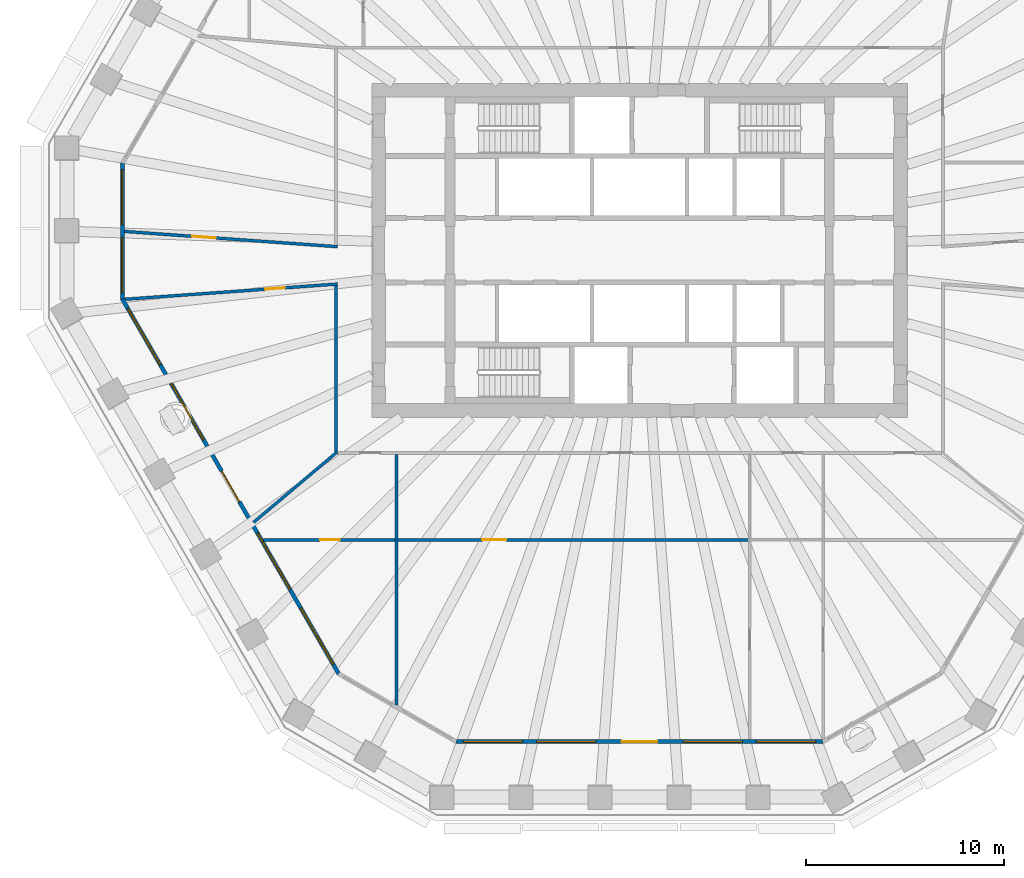
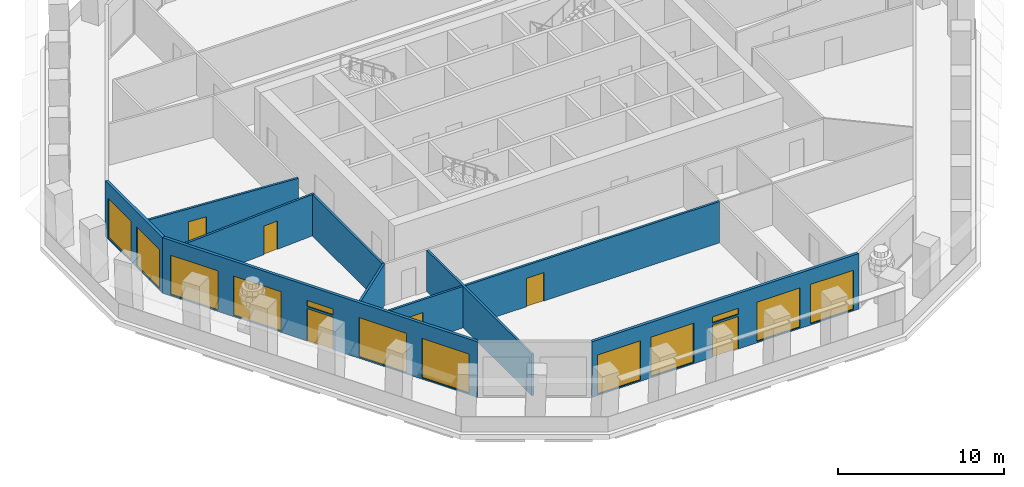
# One storey, part 3 of 12: 12 windows, 9 walls, 6 doors, 18 openings.
"""IFC4 building model written with IfcOpenShell, lengths in metres."""

from ifc_helpers import new_model, si_unit, direction, frame, frame_2d, origin, place, context, subcontext, project, spatial, polyline, rectangle, outline, extrude, material, layer, layer_set, type_object, element, fill, save


model = new_model("IFC4")

# Units and contexts
model_context = context("Model", 3, precision=1e-05, world=origin(), true_north=direction((0.0, 1.0)))
body_context = subcontext(model_context, "Body", "Model", "MODEL_VIEW")
ifc_project = project(units=[si_unit("LENGTHUNIT", "METRE"), si_unit("AREAUNIT", "SQUARE_METRE"), si_unit("VOLUMEUNIT", "CUBIC_METRE"), si_unit("PLANEANGLEUNIT", "RADIAN"), si_unit("MASSUNIT", "GRAM", prefix="KILO")], contexts=[model_context])

# Site, building, storey
site_placement = place(None, origin())
site = spatial("IfcSite", under=ifc_project, at=site_placement, CompositionType="ELEMENT")
building_placement = place(site_placement, origin())
building = spatial("IfcBuilding", under=site, at=building_placement, Name="Frailejon Research Tower", CompositionType="ELEMENT")
storey_placement = place(building_placement, frame((0.0, 0.0, 176.0)))
storey = spatial("IfcBuildingStorey", under=building, at=storey_placement, Name="L38", CompositionType="ELEMENT", Elevation=176.0)

# Wall
ifc_material_1 = material(Name="Gypsum board and masonry partition", Category="masonry")
ifc_layer_1 = layer(ifc_material_1, 0.14990234375)
ifc_layer_set_1 = layer_set([ifc_layer_1], Name="Corridor wall EI 60, gypsum on steel studs 150")
wall_type_1 = type_object("IfcWallType", Name="Corridor wall EI 60, gypsum on steel studs 150", PredefinedType="PARTITIONING", material=ifc_layer_set_1)
wall_1_placement = place(storey_placement, frame((-15.35009765625, -10.175048828125, 0.0), z_axis=(0.0, 0.0, 1.0), x_axis=(0.0, 1.0, 0.0)))
element("IfcWall", 1, at=wall_1_placement, inside=storey, type_object=wall_type_1, Name="T:IW:L38:004", PredefinedType="PARTITIONING", context=body_context, shape_type="SweptSolid", body=[
    extrude(rectangle(XDim=8.385986328125, YDim=0.14990234375, at=frame_2d((4.19287109375, 0.0))), origin(), (0.0, 0.0, 1.0), 3.050048828125),
])

# Wall, opening, door
wall_2_placement = place(storey_placement, frame((-26.071533203125, 0.95361328125, 0.0), z_axis=(0.0, 0.0, 1.0), x_axis=(0.997445401141, -0.071432987776, 0.0)))
wall_2 = element("IfcWall", 2, at=wall_2_placement, inside=storey, type_object=wall_type_1, Name="T:IW:L38:007", PredefinedType="PARTITIONING", context=body_context, shape_type="SweptSolid", body=[
    extrude(rectangle(XDim=10.823974609375, YDim=0.14990234375, at=frame_2d((5.412109375, 0.0))), origin(), (0.0, 0.0, 1.0), 3.050048828125),
])
opening_1_placement = place(wall_2_placement, frame((3.447265625, 0.0, 0.0)))
opening_1 = element("IfcOpeningElement", 3, at=opening_1_placement, cuts=wall_2, Name="Opening D1832", PredefinedType="OPENING", context=body_context, shape_type="SweptSolid", body=[
    extrude(rectangle(XDim=1.199951171875, YDim=2.10009765625, at=frame_2d((0.60009765625, 1.050048828125))), frame((0.0, 0.0849609375, 0.0), z_axis=(0.0, -1.0, 0.0), x_axis=(1.0, 0.0, 0.0)), (0.0, 0.0, 1.0), 0.169921875),
])
ifc_material_2 = material(Name="Timber door leaf", Category="wood")
door_type_1 = type_object("IfcDoorType", Name="Door laboratory, timber, vision panel 1200", OperationType="NOTDEFINED", PredefinedType="DOOR", material=ifc_material_2)
door_1_placement = place(opening_1_placement, origin())
door_1 = element("IfcDoor", 4, at=door_1_placement, inside=storey, type_object=door_type_1, Name="D1832", OperationType="DOUBLE_DOOR_SINGLE_SWING", OverallHeight=2.10009765625, OverallWidth=1.199951171875, PredefinedType="DOOR", context=body_context, shape_type="SweptSolid", body=[
    extrude(rectangle(XDim=1.199951171875, YDim=2.10009765625, at=frame_2d((0.60009765625, 1.050048828125))), frame((0.0, 0.02490234375, 0.0), z_axis=(0.0, -1.0, 0.0), x_axis=(1.0, 0.0, 0.0)), (0.0, 0.0, 1.0), 0.050048828125),
])
fill(opening_1, door_1)

wall_3_placement = place(storey_placement, frame((-26.0498046875, -2.480224609375, 0.0), z_axis=(0.0, 0.0, 1.0), x_axis=(0.997446409399, 0.071418907704, 0.0)))
wall_3 = element("IfcWall", 5, at=wall_3_placement, inside=storey, type_object=wall_type_1, Name="T:IW:L38:008", PredefinedType="PARTITIONING", context=body_context, shape_type="SweptSolid", body=[
    extrude(rectangle(XDim=10.80224609375, YDim=0.14990234375, at=frame_2d((5.401123046875, 0.0))), origin(), (0.0, 0.0, 1.0), 3.050048828125),
])
opening_2_placement = place(wall_3_placement, frame((7.12060546875, 0.0, 0.0)))
opening_2 = element("IfcOpeningElement", 6, at=opening_2_placement, cuts=wall_3, Name="Opening D1833", PredefinedType="OPENING", context=body_context, shape_type="SweptSolid", body=[
    extrude(rectangle(XDim=1.0, YDim=2.10009765625, at=frame_2d((0.5, 1.050048828125))), frame((0.0, 0.0849609375, 0.0), z_axis=(0.0, -1.0, 0.0), x_axis=(1.0, 0.0, 0.0)), (0.0, 0.0, 1.0), 0.169921875),
])
ifc_material_3 = material(Name="Timber door leaf", Category="wood")
door_type_2 = type_object("IfcDoorType", Name="Door single leaf, timber, steel frame 1000", OperationType="NOTDEFINED", PredefinedType="DOOR", material=ifc_material_3)
door_2_placement = place(opening_2_placement, origin())
door_2 = element("IfcDoor", 7, at=door_2_placement, inside=storey, type_object=door_type_2, Name="D1833", OperationType="SINGLE_SWING_LEFT", OverallHeight=2.10009765625, OverallWidth=1.0, PredefinedType="DOOR", context=body_context, shape_type="SweptSolid", body=[
    extrude(rectangle(XDim=1.0, YDim=2.10009765625, at=frame_2d((0.5, 1.050048828125))), frame((0.0, 0.02490234375, 0.0), z_axis=(0.0, -1.0, 0.0), x_axis=(1.0, 0.0, 0.0)), (0.0, 0.0, 1.0), 0.050048828125),
])
fill(opening_2, door_2)

# Wall
ifc_material_4 = material(Name="Gypsum board and masonry partition", Category="masonry")
ifc_layer_2 = layer(ifc_material_4, 0.14990234375)
ifc_layer_set_2 = layer_set([ifc_layer_2], Name="Laboratory partition, blockwork 150")
wall_type_2 = type_object("IfcWallType", Name="Laboratory partition, blockwork 150", PredefinedType="PARTITIONING", material=ifc_layer_set_2)
wall_4_placement = place(storey_placement, frame((-19.53173828125, -13.77001953125, 0.0), z_axis=(0.0, 0.0, 1.0), x_axis=(0.765048286371, 0.643972918313, 0.0)))
element("IfcWall", 8, at=wall_4_placement, inside=storey, type_object=wall_type_2, Name="T:IW:L38:019", PredefinedType="PARTITIONING", context=body_context, shape_type="SweptSolid", body=[
    extrude(rectangle(XDim=5.541259765625, YDim=0.14990234375, at=frame_2d((2.7705078125, 0.0))), origin(), (0.0, 0.0, 1.0), 3.050048828125),
])

# Wall, openings, doors
wall_5_placement = place(storey_placement, frame((-19.023681640625, -14.64990234375, 0.0), z_axis=(0.0, 0.0, 1.0), x_axis=(1.0, 0.0, 0.0)))
wall_5 = element("IfcWall", 9, at=wall_5_placement, inside=storey, type_object=wall_type_2, Name="T:IW:L38:020", PredefinedType="PARTITIONING", context=body_context, shape_type="SweptSolid", body=[
    extrude(rectangle(XDim=24.527099609375, YDim=0.14990234375, at=frame_2d((12.263671875, 0.0))), origin(), (0.0, 0.0, 1.0), 3.050048828125),
])
opening_3_placement = place(wall_5_placement, frame((2.863037109375, 0.0, 0.0)))
opening_3 = element("IfcOpeningElement", 10, at=opening_3_placement, cuts=wall_5, Name="Opening D1835", PredefinedType="OPENING", context=body_context, shape_type="SweptSolid", body=[
    extrude(rectangle(XDim=1.0, YDim=2.10009765625, at=frame_2d((0.5, 1.050048828125))), frame((0.0, 0.0849609375, 0.0), z_axis=(0.0, -1.0, 0.0), x_axis=(1.0, 0.0, 0.0)), (0.0, 0.0, 1.0), 0.169921875),
])
opening_4_placement = place(wall_5_placement, frame((11.070068359375, 0.0, 0.0)))
opening_4 = element("IfcOpeningElement", 11, at=opening_4_placement, cuts=wall_5, Name="Opening D1837", PredefinedType="OPENING", context=body_context, shape_type="SweptSolid", body=[
    extrude(rectangle(XDim=1.199951171875, YDim=2.10009765625, at=frame_2d((0.60009765625, 1.050048828125))), frame((0.0, 0.0849609375, 0.0), z_axis=(0.0, -1.0, 0.0), x_axis=(1.0, 0.0, 0.0)), (0.0, 0.0, 1.0), 0.169921875),
])
ifc_material_5 = material(Name="Timber door leaf", Category="wood")
door_type_3 = type_object("IfcDoorType", Name="Door laboratory, timber, vision panel 1000", OperationType="NOTDEFINED", PredefinedType="DOOR", material=ifc_material_5)
door_3_placement = place(opening_3_placement, origin())
door_3 = element("IfcDoor", 12, at=door_3_placement, inside=storey, type_object=door_type_3, Name="D1835", OperationType="SINGLE_SWING_RIGHT", OverallHeight=2.10009765625, OverallWidth=1.0, PredefinedType="DOOR", context=body_context, shape_type="SweptSolid", body=[
    extrude(rectangle(XDim=1.0, YDim=2.10009765625, at=frame_2d((0.5, 1.050048828125))), frame((0.0, 0.02490234375, 0.0), z_axis=(0.0, -1.0, 0.0), x_axis=(1.0, 0.0, 0.0)), (0.0, 0.0, 1.0), 0.050048828125),
])
fill(opening_3, door_3)
door_4_placement = place(opening_4_placement, origin())
door_4 = element("IfcDoor", 13, at=door_4_placement, inside=storey, type_object=door_type_1, Name="D1837", OperationType="DOUBLE_DOOR_SINGLE_SWING", OverallHeight=2.10009765625, OverallWidth=1.199951171875, PredefinedType="DOOR", context=body_context, shape_type="SweptSolid", body=[
    extrude(rectangle(XDim=1.199951171875, YDim=2.10009765625, at=frame_2d((0.60009765625, 1.050048828125))), frame((0.0, 0.02490234375, 0.0), z_axis=(0.0, -1.0, 0.0), x_axis=(1.0, 0.0, 0.0)), (0.0, 0.0, 1.0), 0.050048828125),
])
fill(opening_4, door_4)

# Wall
wall_6_placement = place(storey_placement, frame((-12.297607421875, -23.0048828125, 0.0), z_axis=(0.0, 0.0, 1.0), x_axis=(0.0, 1.0, 0.0)))
element("IfcWall", 14, at=wall_6_placement, inside=storey, type_object=wall_type_2, Name="T:IW:L38:022", PredefinedType="PARTITIONING", context=body_context, shape_type="SweptSolid", body=[
    extrude(rectangle(XDim=12.679931640625, YDim=0.14990234375, at=frame_2d((6.33984375, 0.0))), origin(), (0.0, 0.0, 1.0), 3.050048828125),
])

# Wall, openings, windows
ifc_material_6 = material(Name="Concrete C40/50 precast window wall panel", Category="concrete")
ifc_layer_3 = layer(ifc_material_6, 0.199951171875)
ifc_layer_set_3 = layer_set([ifc_layer_3], Name="Window wall 200")
wall_type_3 = type_object("IfcWallType", Name="Window wall 200", PredefinedType="SOLIDWALL", material=ifc_layer_set_3)
wall_7_placement = place(storey_placement, frame((-26.171630859375, 4.4052734375, 0.0), z_axis=(0.0, 0.0, 1.0), x_axis=(0.0, -1.0, 0.0)))
wall_7 = element("IfcWall", 15, at=wall_7_placement, inside=storey, type_object=wall_type_3, Name="Exterior wall L38", PredefinedType="SOLIDWALL", context=body_context, shape_type="SweptSolid", body=[
    extrude(outline(polyline([(-0.02685546875, -0.10009765625), (1.1279296875, -0.10009765625), (2.28271484375, -0.10009765625), (3.4375, -0.10009765625), (4.592041015625, -0.10009765625), (5.746826171875, -0.10009765625), (6.901611328125, -0.10009765625), (6.847900390625, 0.10009765625), (5.7109375, 0.10009765625), (4.57421875, 0.10009765625), (3.4375, 0.10009765625), (2.300537109375, 0.10009765625), (1.16357421875, 0.10009765625), (0.02685546875, 0.10009765625), (-0.02685546875, -0.10009765625)])), origin(), (0.0, 0.0, 1.0), 4.10009765625),
])
opening_5_placement = place(wall_7_placement, frame((0.318603515625, 0.0, 0.10009765625)))
opening_5 = element("IfcOpeningElement", 16, at=opening_5_placement, cuts=wall_7, Name="Opening W3", PredefinedType="OPENING", context=body_context, shape_type="SweptSolid", body=[
    extrude(rectangle(XDim=2.800048828125, YDim=2.89990234375, at=frame_2d((1.39990234375, 1.449951171875))), frame((0.0, 0.10986328125, 0.0), z_axis=(0.0, -1.0, 0.0), x_axis=(1.0, 0.0, 0.0)), (0.0, 0.0, 1.0), 0.219970703125),
])
opening_6_placement = place(wall_7_placement, frame((3.756103515625, 0.0, 0.10009765625)))
opening_6 = element("IfcOpeningElement", 17, at=opening_6_placement, cuts=wall_7, Name="Opening W3", PredefinedType="OPENING", context=body_context, shape_type="SweptSolid", body=[
    extrude(rectangle(XDim=2.800048828125, YDim=2.89990234375, at=frame_2d((1.39990234375, 1.449951171875))), frame((0.0, 0.10986328125, 0.0), z_axis=(0.0, -1.0, 0.0), x_axis=(1.0, 0.0, 0.0)), (0.0, 0.0, 1.0), 0.219970703125),
])
ifc_material_7 = material(Name="Aluminium framed double glazing", Category="aluminium")
window_type_1 = type_object("IfcWindowType", Name="Window 2800x2900", PartitioningType="SINGLE_PANEL", PredefinedType="WINDOW", material=ifc_material_7)
window_1_placement = place(opening_5_placement, origin())
window_1 = element("IfcWindow", 18, at=window_1_placement, inside=storey, type_object=window_type_1, Name="Window L38", OverallHeight=2.89990234375, OverallWidth=2.800048828125, PartitioningType="SINGLE_PANEL", PredefinedType="WINDOW", context=body_context, shape_type="SweptSolid", body=[
    extrude(rectangle(XDim=2.800048828125, YDim=2.89990234375, at=frame_2d((1.39990234375, 1.449951171875))), frame((0.0, 0.030029296875, 0.0), z_axis=(0.0, -1.0, 0.0), x_axis=(1.0, 0.0, 0.0)), (0.0, 0.0, 1.0), 0.06005859375),
])
fill(opening_5, window_1)
window_2_placement = place(opening_6_placement, origin())
window_2 = element("IfcWindow", 19, at=window_2_placement, inside=storey, type_object=window_type_1, Name="Window L38", OverallHeight=2.89990234375, OverallWidth=2.800048828125, PartitioningType="SINGLE_PANEL", PredefinedType="WINDOW", context=body_context, shape_type="SweptSolid", body=[
    extrude(rectangle(XDim=2.800048828125, YDim=2.89990234375, at=frame_2d((1.39990234375, 1.449951171875))), frame((0.0, 0.030029296875, 0.0), z_axis=(0.0, -1.0, 0.0), x_axis=(1.0, 0.0, 0.0)), (0.0, 0.0, 1.0), 0.06005859375),
])
fill(opening_6, window_2)

# Wall, openings, door, windows
wall_8_placement = place(storey_placement, frame((-26.171630859375, -2.469482421875, 0.0), z_axis=(0.0, 0.0, 1.0), x_axis=(0.500000763912, -0.866024962739, 0.0)))
wall_8 = element("IfcWall", 20, at=wall_8_placement, inside=storey, type_object=wall_type_3, Name="Exterior wall L38", PredefinedType="SOLIDWALL", context=body_context, shape_type="SweptSolid", body=[
    extrude(outline(polyline([(-0.02685546875, -0.10009765625), (1.018310546875, -0.10009765625), (2.0634765625, -0.10009765625), (3.108642578125, -0.10009765625), (4.15380859375, -0.10009765625), (5.198974609375, -0.10009765625), (6.244140625, -0.10009765625), (7.289306640625, -0.10009765625), (8.33447265625, -0.10009765625), (9.379638671875, -0.10009765625), (10.4248046875, -0.10009765625), (11.4697265625, -0.10009765625), (12.514892578125, -0.10009765625), (13.56005859375, -0.10009765625), (14.605224609375, -0.10009765625), (15.650390625, -0.10009765625), (16.695556640625, -0.10009765625), (17.74072265625, -0.10009765625), (18.785888671875, -0.10009765625), (19.8310546875, -0.10009765625), (20.876220703125, -0.10009765625), (21.92138671875, -0.10009765625), (21.86767578125, 0.10009765625), (20.82763671875, 0.10009765625), (19.78759765625, 0.10009765625), (18.74755859375, 0.10009765625), (17.70751953125, 0.10009765625), (16.66748046875, 0.10009765625), (15.62744140625, 0.10009765625), (14.58740234375, 0.10009765625), (13.54736328125, 0.10009765625), (12.50732421875, 0.10009765625), (11.46728515625, 0.10009765625), (10.42724609375, 0.10009765625), (9.38720703125, 0.10009765625), (8.34716796875, 0.10009765625), (7.30712890625, 0.10009765625), (6.26708984375, 0.10009765625), (5.22705078125, 0.10009765625), (4.18701171875, 0.10009765625), (3.14697265625, 0.10009765625), (2.10693359375, 0.10009765625), (1.06689453125, 0.10009765625), (0.02685546875, 0.10009765625), (-0.02685546875, -0.10009765625)])), origin(), (0.0, 0.0, 1.0), 4.10009765625),
])
opening_7_placement = place(wall_8_placement, frame((0.53955078125, 0.0, 0.10009765625)))
opening_7 = element("IfcOpeningElement", 21, at=opening_7_placement, cuts=wall_8, Name="Opening W5", PredefinedType="OPENING", context=body_context, shape_type="SweptSolid", body=[
    extrude(rectangle(XDim=3.300048828125, YDim=2.89990234375, at=frame_2d((1.64990234375, 1.449951171875))), frame((0.0, 0.10986328125, 0.0), z_axis=(0.0, -1.0, 0.0), x_axis=(1.0, 0.0, 0.0)), (0.0, 0.0, 1.0), 0.219970703125),
])
opening_8_placement = place(wall_8_placement, frame((4.91845703125, 0.0, 0.10009765625)))
opening_8 = element("IfcOpeningElement", 22, at=opening_8_placement, cuts=wall_8, Name="Opening W5", PredefinedType="OPENING", context=body_context, shape_type="SweptSolid", body=[
    extrude(rectangle(XDim=3.300048828125, YDim=2.89990234375, at=frame_2d((1.64990234375, 1.449951171875))), frame((0.0, 0.10986328125, 0.0), z_axis=(0.0, -1.0, 0.0), x_axis=(1.0, 0.0, 0.0)), (0.0, 0.0, 1.0), 0.219970703125),
])
opening_9_placement = place(wall_8_placement, frame((10.04736328125, 0.0, 0.0)))
opening_9 = element("IfcOpeningElement", 23, at=opening_9_placement, cuts=wall_8, Name="Opening LG38-4", PredefinedType="OPENING", context=body_context, shape_type="SweptSolid", body=[
    extrude(rectangle(XDim=1.800048828125, YDim=2.39990234375, at=frame_2d((0.89990234375, 1.199951171875))), frame((0.0, 0.10986328125, 0.0), z_axis=(0.0, -1.0, 0.0), x_axis=(1.0, 0.0, 0.0)), (0.0, 0.0, 1.0), 0.219970703125),
])
opening_10_placement = place(wall_8_placement, frame((10.04736328125, 0.0, 2.550048828125)))
opening_10 = element("IfcOpeningElement", 24, at=opening_10_placement, cuts=wall_8, Name="Opening W1", PredefinedType="OPENING", context=body_context, shape_type="SweptSolid", body=[
    extrude(rectangle(XDim=1.800048828125, YDim=0.449951171875, at=frame_2d((0.89990234375, 0.22509765625))), frame((0.0, 0.10986328125, 0.0), z_axis=(0.0, -1.0, 0.0), x_axis=(1.0, 0.0, 0.0)), (0.0, 0.0, 1.0), 0.219970703125),
])
opening_11_placement = place(wall_8_placement, frame((13.67626953125, 0.0, 0.10009765625)))
opening_11 = element("IfcOpeningElement", 25, at=opening_11_placement, cuts=wall_8, Name="Opening W5", PredefinedType="OPENING", context=body_context, shape_type="SweptSolid", body=[
    extrude(rectangle(XDim=3.300048828125, YDim=2.89990234375, at=frame_2d((1.64990234375, 1.449951171875))), frame((0.0, 0.10986328125, 0.0), z_axis=(0.0, -1.0, 0.0), x_axis=(1.0, 0.0, 0.0)), (0.0, 0.0, 1.0), 0.219970703125),
])
opening_12_placement = place(wall_8_placement, frame((18.05517578125, 0.0, 0.10009765625)))
opening_12 = element("IfcOpeningElement", 26, at=opening_12_placement, cuts=wall_8, Name="Opening W5", PredefinedType="OPENING", context=body_context, shape_type="SweptSolid", body=[
    extrude(rectangle(XDim=3.300048828125, YDim=2.89990234375, at=frame_2d((1.64990234375, 1.449951171875))), frame((0.0, 0.10986328125, 0.0), z_axis=(0.0, -1.0, 0.0), x_axis=(1.0, 0.0, 0.0)), (0.0, 0.0, 1.0), 0.219970703125),
])
ifc_material_8 = material(Name="Aluminium framed glazed door leaf", Category="aluminium")
door_type_4 = type_object("IfcDoorType", Name="Loggia door 1800x2400", OperationType="DOUBLE_DOOR_SINGLE_SWING", PredefinedType="DOOR", material=ifc_material_8)
door_5_placement = place(opening_9_placement, origin())
door_5 = element("IfcDoor", 27, at=door_5_placement, inside=storey, type_object=door_type_4, Name="Door LG38-4", OperationType="DOUBLE_DOOR_SINGLE_SWING", OverallHeight=2.39990234375, OverallWidth=1.800048828125, PredefinedType="DOOR", context=body_context, shape_type="SweptSolid", body=[
    extrude(rectangle(XDim=1.800048828125, YDim=2.39990234375, at=frame_2d((0.89990234375, 1.199951171875))), frame((0.0, 0.02490234375, 0.0), z_axis=(0.0, -1.0, 0.0), x_axis=(1.0, 0.0, 0.0)), (0.0, 0.0, 1.0), 0.050048828125),
])
fill(opening_9, door_5)
ifc_material_9 = material(Name="Aluminium framed double glazing", Category="aluminium")
window_type_2 = type_object("IfcWindowType", Name="Window 1800x450", PartitioningType="SINGLE_PANEL", PredefinedType="WINDOW", material=ifc_material_9)
window_3_placement = place(opening_10_placement, origin())
window_3 = element("IfcWindow", 28, at=window_3_placement, inside=storey, type_object=window_type_2, Name="Window L38", OverallHeight=0.449951171875, OverallWidth=1.800048828125, PartitioningType="SINGLE_PANEL", PredefinedType="WINDOW", context=body_context, shape_type="SweptSolid", body=[
    extrude(rectangle(XDim=1.800048828125, YDim=0.449951171875, at=frame_2d((0.89990234375, 0.22509765625))), frame((0.0, 0.030029296875, 0.0), z_axis=(0.0, -1.0, 0.0), x_axis=(1.0, 0.0, 0.0)), (0.0, 0.0, 1.0), 0.06005859375),
])
fill(opening_10, window_3)
ifc_material_10 = material(Name="Aluminium framed double glazing", Category="aluminium")
window_type_3 = type_object("IfcWindowType", Name="Window 3300x2900", PartitioningType="SINGLE_PANEL", PredefinedType="WINDOW", material=ifc_material_10)
window_4_placement = place(opening_7_placement, origin())
window_4 = element("IfcWindow", 29, at=window_4_placement, inside=storey, type_object=window_type_3, Name="Window L38", OverallHeight=2.89990234375, OverallWidth=3.300048828125, PartitioningType="SINGLE_PANEL", PredefinedType="WINDOW", context=body_context, shape_type="SweptSolid", body=[
    extrude(rectangle(XDim=3.300048828125, YDim=2.89990234375, at=frame_2d((1.64990234375, 1.449951171875))), frame((0.0, 0.030029296875, 0.0), z_axis=(0.0, -1.0, 0.0), x_axis=(1.0, 0.0, 0.0)), (0.0, 0.0, 1.0), 0.06005859375),
])
fill(opening_7, window_4)
window_5_placement = place(opening_8_placement, origin())
window_5 = element("IfcWindow", 30, at=window_5_placement, inside=storey, type_object=window_type_3, Name="Window L38", OverallHeight=2.89990234375, OverallWidth=3.300048828125, PartitioningType="SINGLE_PANEL", PredefinedType="WINDOW", context=body_context, shape_type="SweptSolid", body=[
    extrude(rectangle(XDim=3.300048828125, YDim=2.89990234375, at=frame_2d((1.64990234375, 1.449951171875))), frame((0.0, 0.030029296875, 0.0), z_axis=(0.0, -1.0, 0.0), x_axis=(1.0, 0.0, 0.0)), (0.0, 0.0, 1.0), 0.06005859375),
])
fill(opening_8, window_5)
window_6_placement = place(opening_11_placement, origin())
window_6 = element("IfcWindow", 31, at=window_6_placement, inside=storey, type_object=window_type_3, Name="Window L38", OverallHeight=2.89990234375, OverallWidth=3.300048828125, PartitioningType="SINGLE_PANEL", PredefinedType="WINDOW", context=body_context, shape_type="SweptSolid", body=[
    extrude(rectangle(XDim=3.300048828125, YDim=2.89990234375, at=frame_2d((1.64990234375, 1.449951171875))), frame((0.0, 0.030029296875, 0.0), z_axis=(0.0, -1.0, 0.0), x_axis=(1.0, 0.0, 0.0)), (0.0, 0.0, 1.0), 0.06005859375),
])
fill(opening_11, window_6)
window_7_placement = place(opening_12_placement, origin())
window_7 = element("IfcWindow", 32, at=window_7_placement, inside=storey, type_object=window_type_3, Name="Window L38", OverallHeight=2.89990234375, OverallWidth=3.300048828125, PartitioningType="SINGLE_PANEL", PredefinedType="WINDOW", context=body_context, shape_type="SweptSolid", body=[
    extrude(rectangle(XDim=3.300048828125, YDim=2.89990234375, at=frame_2d((1.64990234375, 1.449951171875))), frame((0.0, 0.030029296875, 0.0), z_axis=(0.0, -1.0, 0.0), x_axis=(1.0, 0.0, 0.0)), (0.0, 0.0, 1.0), 0.06005859375),
])
fill(opening_12, window_7)

wall_9_placement = place(storey_placement, frame((-9.270751953125, -24.867919921875, 0.0), z_axis=(0.0, 0.0, 1.0), x_axis=(1.0, 0.0, 0.0)))
wall_9 = element("IfcWall", 33, at=wall_9_placement, inside=storey, type_object=wall_type_3, Name="Exterior wall L38", PredefinedType="SOLIDWALL", context=body_context, shape_type="SweptSolid", body=[
    extrude(outline(polyline([(-0.02685546875, -0.10009765625), (1.006103515625, -0.10009765625), (2.039306640625, -0.10009765625), (3.072265625, -0.10009765625), (4.10546875, -0.10009765625), (5.138427734375, -0.10009765625), (6.171630859375, -0.10009765625), (7.20458984375, -0.10009765625), (8.23779296875, -0.10009765625), (9.270751953125, -0.10009765625), (10.3037109375, -0.10009765625), (11.3369140625, -0.10009765625), (12.369873046875, -0.10009765625), (13.403076171875, -0.10009765625), (14.43603515625, -0.10009765625), (15.46923828125, -0.10009765625), (16.502197265625, -0.10009765625), (17.535400390625, -0.10009765625), (18.568359375, -0.10009765625), (18.5146484375, 0.10009765625), (17.487548828125, 0.10009765625), (16.46044921875, 0.10009765625), (15.433349609375, 0.10009765625), (14.40625, 0.10009765625), (13.379150390625, 0.10009765625), (12.35205078125, 0.10009765625), (11.324951171875, 0.10009765625), (10.2978515625, 0.10009765625), (9.270751953125, 0.10009765625), (8.24365234375, 0.10009765625), (7.216552734375, 0.10009765625), (6.189453125, 0.10009765625), (5.162353515625, 0.10009765625), (4.13525390625, 0.10009765625), (3.108154296875, 0.10009765625), (2.0810546875, 0.10009765625), (1.053955078125, 0.10009765625), (0.02685546875, 0.10009765625), (-0.02685546875, -0.10009765625)])), origin(), (0.0, 0.0, 1.0), 4.10009765625),
])
opening_13_placement = place(wall_9_placement, frame((0.354248046875, 0.0, 0.10009765625)))
opening_13 = element("IfcOpeningElement", 34, at=opening_13_placement, cuts=wall_9, Name="Opening W4", PredefinedType="OPENING", context=body_context, shape_type="SweptSolid", body=[
    extrude(rectangle(XDim=3.0, YDim=2.89990234375, at=frame_2d((1.5, 1.449951171875))), frame((0.0, 0.10986328125, 0.0), z_axis=(0.0, -1.0, 0.0), x_axis=(1.0, 0.0, 0.0)), (0.0, 0.0, 1.0), 0.219970703125),
])
opening_14_placement = place(wall_9_placement, frame((4.0625, 0.0, 0.10009765625)))
opening_14 = element("IfcOpeningElement", 35, at=opening_14_placement, cuts=wall_9, Name="Opening W4", PredefinedType="OPENING", context=body_context, shape_type="SweptSolid", body=[
    extrude(rectangle(XDim=3.0, YDim=2.89990234375, at=frame_2d((1.5, 1.449951171875))), frame((0.0, 0.10986328125, 0.0), z_axis=(0.0, -1.0, 0.0), x_axis=(1.0, 0.0, 0.0)), (0.0, 0.0, 1.0), 0.219970703125),
])
opening_15_placement = place(wall_9_placement, frame((8.370849609375, 0.0, 0.0)))
opening_15 = element("IfcOpeningElement", 36, at=opening_15_placement, cuts=wall_9, Name="Opening LG38-5", PredefinedType="OPENING", context=body_context, shape_type="SweptSolid", body=[
    extrude(rectangle(XDim=1.800048828125, YDim=2.39990234375, at=frame_2d((0.89990234375, 1.199951171875))), frame((0.0, 0.10986328125, 0.0), z_axis=(0.0, -1.0, 0.0), x_axis=(1.0, 0.0, 0.0)), (0.0, 0.0, 1.0), 0.219970703125),
])
opening_16_placement = place(wall_9_placement, frame((8.370849609375, 0.0, 2.550048828125)))
opening_16 = element("IfcOpeningElement", 37, at=opening_16_placement, cuts=wall_9, Name="Opening W1", PredefinedType="OPENING", context=body_context, shape_type="SweptSolid", body=[
    extrude(rectangle(XDim=1.800048828125, YDim=0.449951171875, at=frame_2d((0.89990234375, 0.22509765625))), frame((0.0, 0.10986328125, 0.0), z_axis=(0.0, -1.0, 0.0), x_axis=(1.0, 0.0, 0.0)), (0.0, 0.0, 1.0), 0.219970703125),
])
opening_17_placement = place(wall_9_placement, frame((11.47900390625, 0.0, 0.10009765625)))
opening_17 = element("IfcOpeningElement", 38, at=opening_17_placement, cuts=wall_9, Name="Opening W4", PredefinedType="OPENING", context=body_context, shape_type="SweptSolid", body=[
    extrude(rectangle(XDim=3.0, YDim=2.89990234375, at=frame_2d((1.5, 1.449951171875))), frame((0.0, 0.10986328125, 0.0), z_axis=(0.0, -1.0, 0.0), x_axis=(1.0, 0.0, 0.0)), (0.0, 0.0, 1.0), 0.219970703125),
])
opening_18_placement = place(wall_9_placement, frame((15.1875, 0.0, 0.10009765625)))
opening_18 = element("IfcOpeningElement", 39, at=opening_18_placement, cuts=wall_9, Name="Opening W4", PredefinedType="OPENING", context=body_context, shape_type="SweptSolid", body=[
    extrude(rectangle(XDim=3.0, YDim=2.89990234375, at=frame_2d((1.5, 1.449951171875))), frame((0.0, 0.10986328125, 0.0), z_axis=(0.0, -1.0, 0.0), x_axis=(1.0, 0.0, 0.0)), (0.0, 0.0, 1.0), 0.219970703125),
])
door_6_placement = place(opening_15_placement, origin())
door_6 = element("IfcDoor", 40, at=door_6_placement, inside=storey, type_object=door_type_4, Name="Door LG38-5", OperationType="DOUBLE_DOOR_SINGLE_SWING", OverallHeight=2.39990234375, OverallWidth=1.800048828125, PredefinedType="DOOR", context=body_context, shape_type="SweptSolid", body=[
    extrude(rectangle(XDim=1.800048828125, YDim=2.39990234375, at=frame_2d((0.89990234375, 1.199951171875))), frame((0.0, 0.02490234375, 0.0), z_axis=(0.0, -1.0, 0.0), x_axis=(1.0, 0.0, 0.0)), (0.0, 0.0, 1.0), 0.050048828125),
])
fill(opening_15, door_6)
window_8_placement = place(opening_16_placement, origin())
window_8 = element("IfcWindow", 41, at=window_8_placement, inside=storey, type_object=window_type_2, Name="Window L38", OverallHeight=0.449951171875, OverallWidth=1.800048828125, PartitioningType="SINGLE_PANEL", PredefinedType="WINDOW", context=body_context, shape_type="SweptSolid", body=[
    extrude(rectangle(XDim=1.800048828125, YDim=0.449951171875, at=frame_2d((0.89990234375, 0.22509765625))), frame((0.0, 0.030029296875, 0.0), z_axis=(0.0, -1.0, 0.0), x_axis=(1.0, 0.0, 0.0)), (0.0, 0.0, 1.0), 0.06005859375),
])
fill(opening_16, window_8)
ifc_material_11 = material(Name="Aluminium framed double glazing", Category="aluminium")
window_type_4 = type_object("IfcWindowType", Name="Window 3000x2900", PartitioningType="SINGLE_PANEL", PredefinedType="WINDOW", material=ifc_material_11)
window_9_placement = place(opening_13_placement, origin())
window_9 = element("IfcWindow", 42, at=window_9_placement, inside=storey, type_object=window_type_4, Name="Window L38", OverallHeight=2.89990234375, OverallWidth=3.0, PartitioningType="SINGLE_PANEL", PredefinedType="WINDOW", context=body_context, shape_type="SweptSolid", body=[
    extrude(rectangle(XDim=3.0, YDim=2.89990234375, at=frame_2d((1.5, 1.449951171875))), frame((0.0, 0.030029296875, 0.0), z_axis=(0.0, -1.0, 0.0), x_axis=(1.0, 0.0, 0.0)), (0.0, 0.0, 1.0), 0.06005859375),
])
fill(opening_13, window_9)
window_10_placement = place(opening_14_placement, origin())
window_10 = element("IfcWindow", 43, at=window_10_placement, inside=storey, type_object=window_type_4, Name="Window L38", OverallHeight=2.89990234375, OverallWidth=3.0, PartitioningType="SINGLE_PANEL", PredefinedType="WINDOW", context=body_context, shape_type="SweptSolid", body=[
    extrude(rectangle(XDim=3.0, YDim=2.89990234375, at=frame_2d((1.5, 1.449951171875))), frame((0.0, 0.030029296875, 0.0), z_axis=(0.0, -1.0, 0.0), x_axis=(1.0, 0.0, 0.0)), (0.0, 0.0, 1.0), 0.06005859375),
])
fill(opening_14, window_10)
window_11_placement = place(opening_17_placement, origin())
window_11 = element("IfcWindow", 44, at=window_11_placement, inside=storey, type_object=window_type_4, Name="Window L38", OverallHeight=2.89990234375, OverallWidth=3.0, PartitioningType="SINGLE_PANEL", PredefinedType="WINDOW", context=body_context, shape_type="SweptSolid", body=[
    extrude(rectangle(XDim=3.0, YDim=2.89990234375, at=frame_2d((1.5, 1.449951171875))), frame((0.0, 0.030029296875, 0.0), z_axis=(0.0, -1.0, 0.0), x_axis=(1.0, 0.0, 0.0)), (0.0, 0.0, 1.0), 0.06005859375),
])
fill(opening_17, window_11)
window_12_placement = place(opening_18_placement, origin())
window_12 = element("IfcWindow", 45, at=window_12_placement, inside=storey, type_object=window_type_4, Name="Window L38", OverallHeight=2.89990234375, OverallWidth=3.0, PartitioningType="SINGLE_PANEL", PredefinedType="WINDOW", context=body_context, shape_type="SweptSolid", body=[
    extrude(rectangle(XDim=3.0, YDim=2.89990234375, at=frame_2d((1.5, 1.449951171875))), frame((0.0, 0.030029296875, 0.0), z_axis=(0.0, -1.0, 0.0), x_axis=(1.0, 0.0, 0.0)), (0.0, 0.0, 1.0), 0.06005859375),
])
fill(opening_18, window_12)

save(model, "model.ifc")
